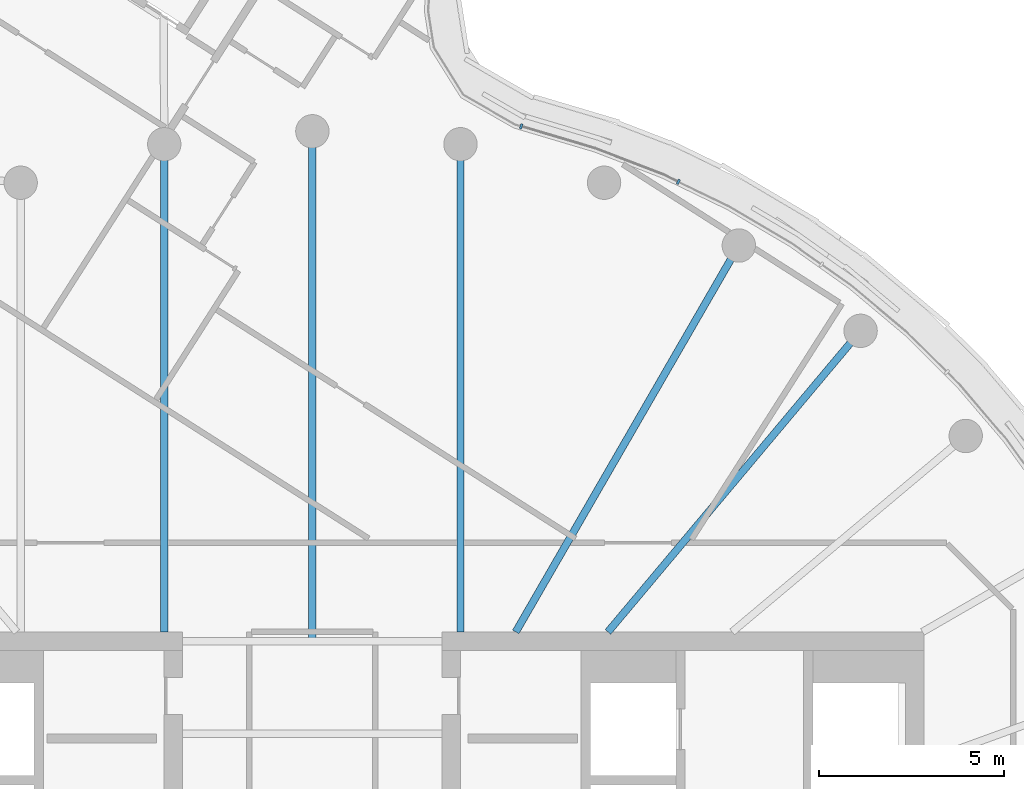
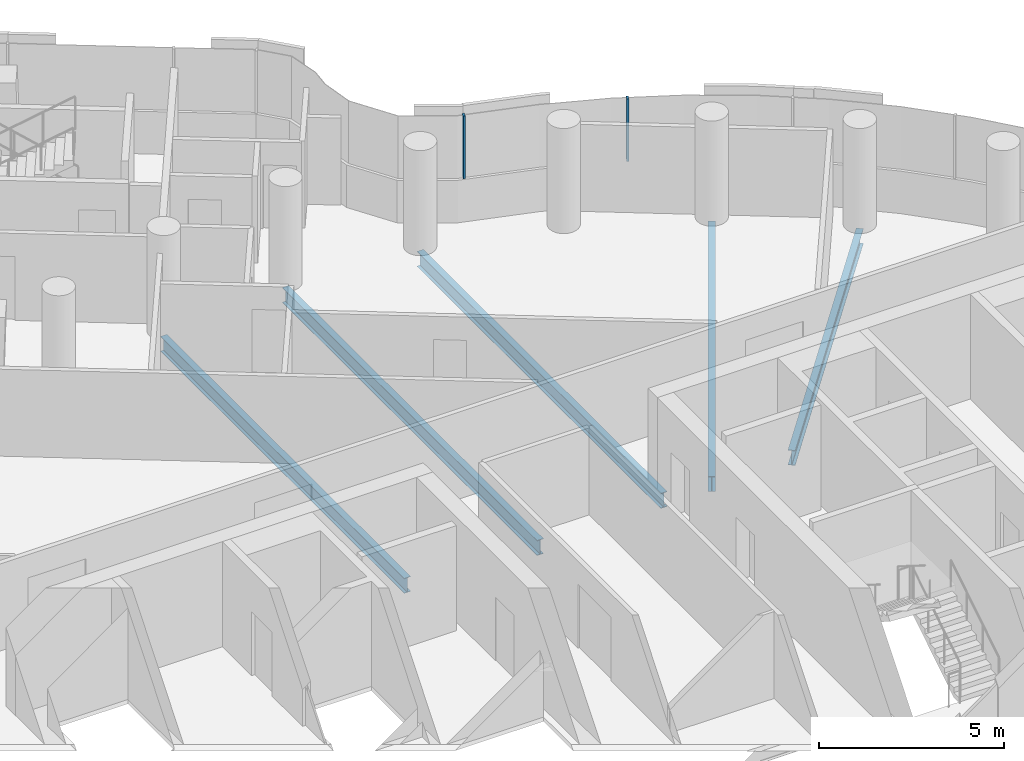
# One storey, part 11 of 27: 5 beams, 2 members, 1 element without a shape of its own.
"""IFC4 building model written with IfcOpenShell, lengths in metres."""

from ifc_helpers import new_model, si_unit, direction, frame, origin, origin_2d, place, context, subcontext, project, spatial, rectangle, i_section, extrude, material, layer, layer_set, material_profile, profile_set, type_object, element, aggregate, save


model = new_model("IFC4")

# Units and contexts
model_context = context("Model", 3, precision=1e-05, world=origin(), true_north=direction((0.0, 1.0)))
body_context = subcontext(model_context, "Body", "Model", "MODEL_VIEW")
ifc_project = project(units=[si_unit("LENGTHUNIT", "METRE"), si_unit("AREAUNIT", "SQUARE_METRE"), si_unit("VOLUMEUNIT", "CUBIC_METRE"), si_unit("PLANEANGLEUNIT", "RADIAN"), si_unit("MASSUNIT", "GRAM", prefix="KILO")], contexts=[model_context])

# Site, building, storey
site_placement = place(None, origin())
site = spatial("IfcSite", under=ifc_project, at=site_placement, CompositionType="ELEMENT")
building_placement = place(site_placement, origin())
building = spatial("IfcBuilding", under=site, at=building_placement, Name="Tamarind Cross Interchange Tower", CompositionType="ELEMENT")
storey_placement = place(building_placement, frame((0.0, 0.0, 241.5)))
storey = spatial("IfcBuildingStorey", under=building, at=storey_placement, Name="L61", CompositionType="ELEMENT", Elevation=241.5)

# Beams
ifc_material_1 = material(Name="Steel Q355B", Category="steel")
ifc_material_profile_1 = material_profile(ifc_material_1, i_section(OverallWidth=0.198974609375, OverallDepth=0.49609375, WebThickness=0.009033203125, FlangeThickness=0.013916015625, FilletRadius=0.012939453125, at=origin_2d()), Name="HN 496x199x9x14")
ifc_profile_set_1 = profile_set([ifc_material_profile_1], Name="Steel Q355B")
beam_type = type_object("IfcBeamType", Name="Composite beam HN 496x199x9x14 Q355B", PredefinedType="BEAM", material=ifc_profile_set_1)
beam_1_placement = place(storey_placement, frame((14.7841796875, 17.619140625, -0.387939453125), z_axis=(-0.642786293979, -0.766045547127, 0.0), x_axis=(0.766045547127, -0.642786293979, 0.0)))
element("IfcBeam", 1, at=beam_1_placement, inside=storey, type_object=beam_type, Name="Beam HH05", PredefinedType="BEAM", context=body_context, shape_type="SweptSolid", body=[
    extrude(i_section(OverallWidth=0.198974609375, OverallDepth=0.49609375, WebThickness=0.009033203125, FlangeThickness=0.013916015625, FilletRadius=0.012939453125, at=origin_2d()), origin(), (0.0, 0.0, 1.0), 10.598876953125),
])
beam_2_placement = place(storey_placement, frame((11.5, 19.918701171875, -0.387939453125), z_axis=(-0.499993565836, -0.866029118519, 0.0), x_axis=(0.866029118519, -0.499993565836, 0.0)))
element("IfcBeam", 2, at=beam_2_placement, inside=storey, type_object=beam_type, Name="Beam HH06", PredefinedType="BEAM", context=body_context, shape_type="SweptSolid", body=[
    extrude(i_section(OverallWidth=0.198974609375, OverallDepth=0.49609375, WebThickness=0.009033203125, FlangeThickness=0.013916015625, FilletRadius=0.012939453125, at=origin_2d()), origin(), (0.0, 0.0, 1.0), 12.030517578125),
])
beam_3_placement = place(storey_placement, frame((3.993896484375, 22.650634765625, -0.387939453125), z_axis=(0.0, -1.0, 0.0), x_axis=(1.0, 0.0, 0.0)))
element("IfcBeam", 3, at=beam_3_placement, inside=storey, type_object=beam_type, Name="Beam HH08", PredefinedType="BEAM", context=body_context, shape_type="SweptSolid", body=[
    extrude(i_section(OverallWidth=0.198974609375, OverallDepth=0.49609375, WebThickness=0.009033203125, FlangeThickness=0.013916015625, FilletRadius=0.012939453125, at=origin_2d()), origin(), (0.0, 0.0, 1.0), 13.150634765625),
])
beam_4_placement = place(storey_placement, frame((0.0, 23.0, -0.387939453125), z_axis=(0.0, -1.0, 0.0), x_axis=(1.0, 0.0, 0.0)))
element("IfcBeam", 4, at=beam_4_placement, inside=storey, type_object=beam_type, Name="Beam HH09", PredefinedType="BEAM", context=body_context, shape_type="SweptSolid", body=[
    extrude(i_section(OverallWidth=0.198974609375, OverallDepth=0.49609375, WebThickness=0.009033203125, FlangeThickness=0.013916015625, FilletRadius=0.012939453125, at=origin_2d()), origin(), (0.0, 0.0, 1.0), 13.75),
])
beam_5_placement = place(storey_placement, frame((-3.993896484375, 22.650634765625, -0.387939453125), z_axis=(0.0, -1.0, 0.0), x_axis=(1.0, 0.0, 0.0)))
element("IfcBeam", 5, at=beam_5_placement, inside=storey, type_object=beam_type, Name="Beam HH10", PredefinedType="BEAM", context=body_context, shape_type="SweptSolid", body=[
    extrude(i_section(OverallWidth=0.198974609375, OverallDepth=0.49609375, WebThickness=0.009033203125, FlangeThickness=0.013916015625, FilletRadius=0.012939453125, at=origin_2d()), origin(), (0.0, 0.0, 1.0), 13.150634765625),
])

# Curtain wall, members
ifc_material_2 = material(Name="Aluminium 6063-T6", Category="aluminium")
ifc_layer = layer(ifc_material_2, 0.139892578125)
ifc_layer_set = layer_set([ifc_layer], Name="Aluminium 6063-T6")
curtain_wall_type = type_object("IfcCurtainWallType", Name="Hotel curtain wall, 4.5 m bays", PredefinedType="NOTDEFINED", material=ifc_layer_set)
curtain_wall_placement = place(storey_placement, origin())
curtain_wall = element("IfcCurtainWall", 6, at=curtain_wall_placement, inside=storey, type_object=curtain_wall_type, Name="CWS-L61-02", PredefinedType="NOTDEFINED")
ifc_material_profile_2 = material_profile(ifc_material_2, rectangle(XDim=0.06005859375, YDim=0.139892578125, at=origin_2d()), Name="Mullion CW2")
ifc_profile_set_2 = profile_set([ifc_material_profile_2], Name="Aluminium 6063-T6")
member_type = type_object("IfcMemberType", Name="Mullion CW2", PredefinedType="MULLION", material=ifc_profile_set_2)
member_1_placement = place(storey_placement, frame((9.8671875, 21.637939453125, 1.39990234375), z_axis=(0.0, 0.0, 1.0), x_axis=(-0.900272776334, 0.435326231914, 0.0)))
member_1 = element("IfcMember", 7, at=member_1_placement, type_object=member_type, Name="CWM-L61-02-20", PredefinedType="MULLION", context=body_context, shape_type="SweptSolid", body=[
    extrude(rectangle(XDim=0.06005859375, YDim=0.139892578125, at=origin_2d()), origin(), (0.0, 0.0, 1.0), 2.06005859375),
])
member_2_placement = place(storey_placement, frame((5.630859375, 23.1337890625, 1.39990234375), z_axis=(0.0, 0.0, 1.0), x_axis=(-0.958535024845, 0.284974746504, 0.0)))
member_2 = element("IfcMember", 8, at=member_2_placement, type_object=member_type, Name="CWM-L61-02-21", PredefinedType="MULLION", context=body_context, shape_type="SweptSolid", body=[
    extrude(rectangle(XDim=0.06005859375, YDim=0.139892578125, at=origin_2d()), origin(), (0.0, 0.0, 1.0), 2.06005859375),
])
aggregate(curtain_wall, [member_1, member_2])

save(model, "model.ifc")
